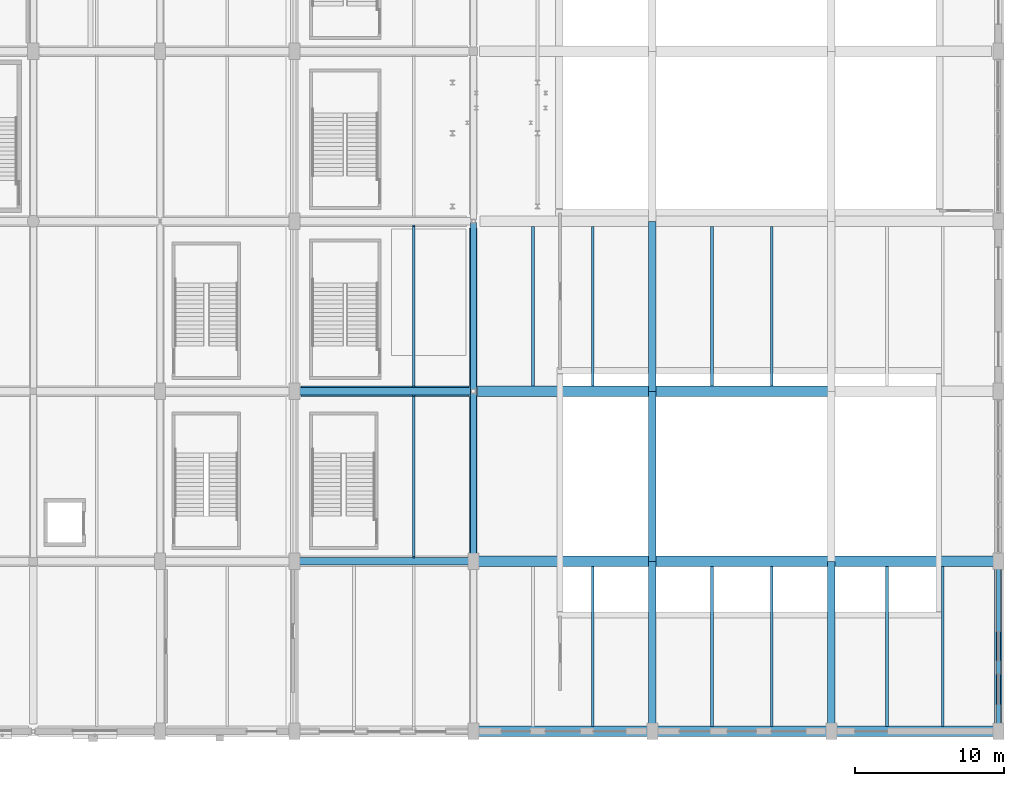
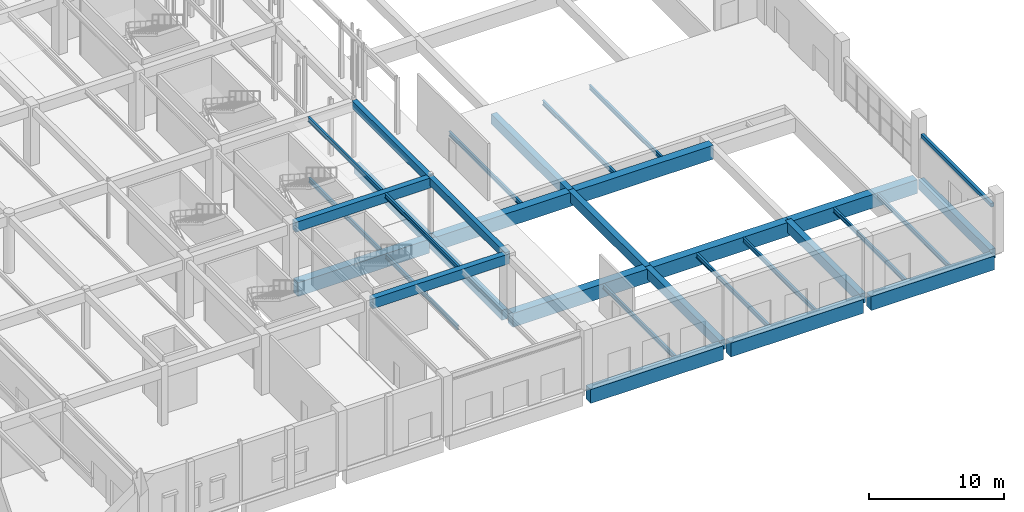
# One storey, part 57 of 113: 34 beams.
"""IFC4 building model written with IfcOpenShell, lengths in metres."""

from ifc_helpers import new_model, si_unit, direction, frame, origin, origin_2d, place, context, subcontext, project, spatial, rectangle, i_section, extrude, material, material_profile, profile_set, type_object, element, save


model = new_model("IFC4")

# Units and contexts
model_context = context("Model", 3, precision=1e-05, world=origin(), true_north=direction((0.0, 1.0)))
body_context = subcontext(model_context, "Body", "Model", "MODEL_VIEW")
ifc_project = project(units=[si_unit("LENGTHUNIT", "METRE"), si_unit("AREAUNIT", "SQUARE_METRE"), si_unit("VOLUMEUNIT", "CUBIC_METRE"), si_unit("PLANEANGLEUNIT", "RADIAN"), si_unit("MASSUNIT", "GRAM", prefix="KILO"), si_unit("POWERUNIT", "WATT"), si_unit("THERMODYNAMICTEMPERATUREUNIT", "KELVIN")], contexts=[model_context])

# Site, building, storey
site_placement = place(None, origin())
site = spatial("IfcSite", under=ifc_project, at=site_placement, CompositionType="ELEMENT")
building_placement = place(site_placement, origin())
building = spatial("IfcBuilding", under=site, at=building_placement, Name="Kelmbourne Parkland Aquatics Centre", CompositionType="ELEMENT")
storey_placement = place(building_placement, origin())
storey = spatial("IfcBuildingStorey", under=building, at=storey_placement, Name="L00", CompositionType="ELEMENT", Elevation=0.0)

# Beams
ifc_material_1 = material(Name="Concrete C40/50", Category="concrete")
ifc_material_profile_1 = material_profile(ifc_material_1, rectangle(XDim=0.5, YDim=0.89990234375, at=origin_2d()), Name="RC 500x900")
ifc_profile_set_1 = profile_set([ifc_material_profile_1], Name="Concrete C40/50")
beam_type_1 = type_object("IfcBeamType", Name="BM-G03", PredefinedType="BEAM", material=ifc_profile_set_1)
beam_1_placement = place(storey_placement, frame((140.0, 12.60498046875, -0.72998046875), z_axis=(0.0, 1.0, 0.0), x_axis=(-1.0, 0.0, 0.0)))
element("IfcBeam", 1, at=beam_1_placement, inside=storey, type_object=beam_type_1, Name="Primary girder 03-04 Grid Q (L00)", PredefinedType="BEAM", context=body_context, shape_type="SweptSolid", body=[
    extrude(rectangle(XDim=0.5, YDim=0.89990234375, at=origin_2d()), origin(), (0.0, 0.0, 1.0), 10.715087890625),
])
beam_2_placement = place(storey_placement, frame((140.0, 23.8798828125, -0.72998046875), z_axis=(0.0, 1.0, 0.0), x_axis=(-1.0, 0.0, 0.0)))
element("IfcBeam", 2, at=beam_2_placement, inside=storey, type_object=beam_type_1, Name="Primary girder 04-05 Grid Q (L00)", PredefinedType="BEAM", context=body_context, shape_type="SweptSolid", body=[
    extrude(rectangle(XDim=0.5, YDim=0.89990234375, at=origin_2d()), origin(), (0.0, 0.0, 1.0), 10.6650390625),
])
beam_3_placement = place(storey_placement, frame((152.0, 1.1298828125, -0.72998046875), z_axis=(0.0, 1.0, 0.0), x_axis=(-1.0, 0.0, 0.0)))
element("IfcBeam", 3, at=beam_3_placement, inside=storey, type_object=beam_type_1, Name="Primary girder 01-03 Grid R (L00)", PredefinedType="BEAM", context=body_context, shape_type="SweptSolid", body=[
    extrude(rectangle(XDim=0.5, YDim=0.89990234375, at=origin_2d()), origin(), (0.0, 0.0, 1.0), 11.070068359375),
])
beam_4_placement = place(storey_placement, frame((152.0, 12.199951171875, -0.72998046875), z_axis=(0.0, 1.0, 0.0), x_axis=(-1.0, 0.0, 0.0)))
element("IfcBeam", 4, at=beam_4_placement, inside=storey, type_object=beam_type_1, Name="Primary girder 03-04 Grid R (L00)", PredefinedType="BEAM", context=body_context, shape_type="SweptSolid", body=[
    extrude(rectangle(XDim=0.5, YDim=0.89990234375, at=origin_2d()), origin(), (0.0, 0.0, 1.0), 11.400146484375),
])
beam_5_placement = place(storey_placement, frame((152.0, 23.60009765625, -0.72998046875), z_axis=(0.0, 1.0, 0.0), x_axis=(-1.0, 0.0, 0.0)))
element("IfcBeam", 5, at=beam_5_placement, inside=storey, type_object=beam_type_1, Name="Primary girder 04-05 Grid R (L00)", PredefinedType="BEAM", context=body_context, shape_type="SweptSolid", body=[
    extrude(rectangle(XDim=0.5, YDim=0.89990234375, at=origin_2d()), origin(), (0.0, 0.0, 1.0), 11.39990234375),
])
beam_6_placement = place(storey_placement, frame((164.0, 1.1298828125, -0.72998046875), z_axis=(0.0, 1.0, 0.0), x_axis=(-1.0, 0.0, 0.0)))
element("IfcBeam", 6, at=beam_6_placement, inside=storey, type_object=beam_type_1, Name="Primary girder 01-03 Grid S (L00)", PredefinedType="BEAM", context=body_context, shape_type="SweptSolid", body=[
    extrude(rectangle(XDim=0.5, YDim=0.89990234375, at=origin_2d()), origin(), (0.0, 0.0, 1.0), 11.070068359375),
])
beam_7_placement = place(storey_placement, frame((175.199951171875, 1.304931640625, -0.72998046875), z_axis=(0.0, 1.0, 0.0), x_axis=(-1.0, 0.0, 0.0)))
element("IfcBeam", 7, at=beam_7_placement, inside=storey, type_object=beam_type_1, Name="Primary girder 01-03 Grid T (L00)", PredefinedType="BEAM", context=body_context, shape_type="SweptSolid", body=[
    extrude(rectangle(XDim=0.5, YDim=0.89990234375, at=origin_2d()), origin(), (0.0, 0.0, 1.0), 10.565185546875),
])
for number, where, z_axis, x_axis, name in (
    (8, (128.330078125, 12.199951171875, 4.7099609375), (1.0, 0.0, 0.0), (0.0, 1.0, 0.0), "Primary girder P-Q Grid 03 (L01)"),
    (9, (128.330078125, 23.60009765625, 4.7099609375), (1.0, 0.0, 0.0), (0.0, 1.0, 0.0), "Primary girder P-Q Grid 04 (L01)"),
):
    element("IfcBeam", number, at=place(storey_placement, frame(where, z_axis=z_axis, x_axis=x_axis)), inside=storey, type_object=beam_type_1, Name=name, PredefinedType="BEAM", context=body_context, shape_type="SweptSolid", body=[
        extrude(rectangle(XDim=0.5, YDim=0.89990234375, at=origin_2d()), origin(), (0.0, 0.0, 1.0), 11.669921875),
    ])
ifc_material_profile_2 = material_profile(ifc_material_1, rectangle(XDim=0.39990234375, YDim=0.699951171875, at=origin_2d()), Name="RC 400x700")
ifc_profile_set_2 = profile_set([ifc_material_profile_2], Name="Concrete C40/50")
beam_type_2 = type_object("IfcBeamType", Name="BM-G05", PredefinedType="BEAM", material=ifc_profile_set_2)
beam_8_placement = place(storey_placement, frame((140.0, 12.199951171875, 4.81005859375), z_axis=(0.0, 1.0, 0.0), x_axis=(-1.0, 0.0, 0.0)))
element("IfcBeam", 10, at=beam_8_placement, inside=storey, type_object=beam_type_2, Name="Primary girder 03-04 Grid Q (L01)", PredefinedType="BEAM", context=body_context, shape_type="SweptSolid", body=[
    extrude(rectangle(XDim=0.39990234375, YDim=0.699951171875, at=origin_2d()), origin(), (0.0, 0.0, 1.0), 11.400146484375),
])
beam_9_placement = place(storey_placement, frame((140.0, 23.60009765625, 4.81005859375), z_axis=(0.0, 1.0, 0.0), x_axis=(-1.0, 0.0, 0.0)))
element("IfcBeam", 11, at=beam_9_placement, inside=storey, type_object=beam_type_2, Name="Primary girder 04-05 Grid Q (L01)", PredefinedType="BEAM", context=body_context, shape_type="SweptSolid", body=[
    extrude(rectangle(XDim=0.39990234375, YDim=0.699951171875, at=origin_2d()), origin(), (0.0, 0.0, 1.0), 11.31982421875),
])
ifc_material_2 = material(Name="Concrete C50/60", Category="concrete")
ifc_material_profile_3 = material_profile(ifc_material_2, rectangle(XDim=0.699951171875, YDim=1.25, at=origin_2d()), Name="RC 700x1250")
ifc_profile_set_3 = profile_set([ifc_material_profile_3], Name="Concrete C50/60")
beam_type_3 = type_object("IfcBeamType", Name="BM-G08", PredefinedType="BEAM", material=ifc_profile_set_3)
for number, where, z_axis, x_axis, name in (
    (12, (140.330078125, 0.800048828125, -0.905029296875), (1.0, 0.0, 0.0), (0.0, 1.0, 0.0), "Primary girder Q-R Grid 01 (L00)"),
    (13, (152.330078125, 0.800048828125, -0.905029296875), (1.0, 0.0, 0.0), (0.0, 1.0, 0.0), "Primary girder R-S Grid 01 (L00)"),
):
    element("IfcBeam", number, at=place(storey_placement, frame(where, z_axis=z_axis, x_axis=x_axis)), inside=storey, type_object=beam_type_3, Name=name, PredefinedType="BEAM", context=body_context, shape_type="SweptSolid", body=[
        extrude(rectangle(XDim=0.699951171875, YDim=1.25, at=origin_2d()), origin(), (0.0, 0.0, 1.0), 11.33984375),
    ])
beam_10_placement = place(storey_placement, frame((164.330078125, 0.800048828125, -0.905029296875), z_axis=(1.0, 0.0, 0.0), x_axis=(0.0, 1.0, 0.0)))
element("IfcBeam", 14, at=beam_10_placement, inside=storey, type_object=beam_type_3, Name="Primary girder S-T Grid 01 (L00)", PredefinedType="BEAM", context=body_context, shape_type="SweptSolid", body=[
    extrude(rectangle(XDim=0.699951171875, YDim=1.25, at=origin_2d()), origin(), (0.0, 0.0, 1.0), 10.5400390625),
])
beam_11_placement = place(storey_placement, frame((140.2548828125, 12.199951171875, -0.905029296875), z_axis=(1.0, 0.0, 0.0), x_axis=(0.0, 1.0, 0.0)))
element("IfcBeam", 15, at=beam_11_placement, inside=storey, type_object=beam_type_3, Name="Primary girder Q-R Grid 03 (L00)", PredefinedType="BEAM", context=body_context, shape_type="SweptSolid", body=[
    extrude(rectangle(XDim=0.699951171875, YDim=1.25, at=origin_2d()), origin(), (0.0, 0.0, 1.0), 11.7451171875),
])
beam_12_placement = place(storey_placement, frame((152.0, 12.199951171875, -0.905029296875), z_axis=(1.0, 0.0, 0.0), x_axis=(0.0, 1.0, 0.0)))
element("IfcBeam", 16, at=beam_12_placement, inside=storey, type_object=beam_type_3, Name="Primary girder R-S Grid 03 (L00)", PredefinedType="BEAM", context=body_context, shape_type="SweptSolid", body=[
    extrude(rectangle(XDim=0.699951171875, YDim=1.25, at=origin_2d()), origin(), (0.0, 0.0, 1.0), 12.0),
])
beam_13_placement = place(storey_placement, frame((164.0, 12.199951171875, -0.905029296875), z_axis=(1.0, 0.0, 0.0), x_axis=(0.0, 1.0, 0.0)))
element("IfcBeam", 17, at=beam_13_placement, inside=storey, type_object=beam_type_3, Name="Primary girder S-T Grid 03 (L00)", PredefinedType="BEAM", context=body_context, shape_type="SweptSolid", body=[
    extrude(rectangle(XDim=0.699951171875, YDim=1.25, at=origin_2d()), origin(), (0.0, 0.0, 1.0), 10.8701171875),
])
beam_14_placement = place(storey_placement, frame((128.455078125, 23.60009765625, -0.905029296875), z_axis=(1.0, 0.0, 0.0), x_axis=(0.0, 1.0, 0.0)))
element("IfcBeam", 18, at=beam_14_placement, inside=storey, type_object=beam_type_3, Name="Primary girder P-Q Grid 04 (L00)", PredefinedType="BEAM", context=body_context, shape_type="SweptSolid", body=[
    extrude(rectangle(XDim=0.699951171875, YDim=1.25, at=origin_2d()), origin(), (0.0, 0.0, 1.0), 11.264892578125),
])
beam_15_placement = place(storey_placement, frame((140.280029296875, 23.60009765625, -0.905029296875), z_axis=(1.0, 0.0, 0.0), x_axis=(0.0, 1.0, 0.0)))
element("IfcBeam", 19, at=beam_15_placement, inside=storey, type_object=beam_type_3, Name="Primary girder Q-R Grid 04 (L00)", PredefinedType="BEAM", context=body_context, shape_type="SweptSolid", body=[
    extrude(rectangle(XDim=0.699951171875, YDim=1.25, at=origin_2d()), origin(), (0.0, 0.0, 1.0), 11.719970703125),
])
beam_16_placement = place(storey_placement, frame((152.0, 23.60009765625, -0.905029296875), z_axis=(1.0, 0.0, 0.0), x_axis=(0.0, 1.0, 0.0)))
element("IfcBeam", 20, at=beam_16_placement, inside=storey, type_object=beam_type_3, Name="Primary girder R-S Grid 04 (L00)", PredefinedType="BEAM", context=body_context, shape_type="SweptSolid", body=[
    extrude(rectangle(XDim=0.699951171875, YDim=1.25, at=origin_2d()), origin(), (0.0, 0.0, 1.0), 12.0),
])
ifc_material_3 = material(Name="Structural steel AS/NZS 3679.1 Grade 300", Category="steel")
ifc_material_profile_4 = material_profile(ifc_material_3, i_section(OverallWidth=0.177978515625, OverallDepth=0.406005859375, WebThickness=0.0078125, FlangeThickness=0.0126953125, at=origin_2d()), Name="410UB59.7")
ifc_profile_set_4 = profile_set([ifc_material_profile_4], Name="Structural steel AS/NZS 3679.1 Grade 300")
beam_type_4 = type_object("IfcBeamType", Name="BM-J01", PredefinedType="JOIST", material=ifc_profile_set_4)
for number, where, z_axis, x_axis, name in (
    (21, (136.0, 12.5419921875, -0.48291015625), (0.0, 1.0, 0.0), (-1.0, 0.0, 0.0), "Secondary floor joist P-Q/03-04 #2 (L00)"),
    (22, (136.0, 23.94189453125, -0.48291015625), (0.0, 1.0, 0.0), (-1.0, 0.0, 0.0), "Secondary floor joist P-Q/04-05 #2 (L00)"),
):
    element("IfcBeam", number, at=place(storey_placement, frame(where, z_axis=z_axis, x_axis=x_axis)), inside=storey, type_object=beam_type_4, Name=name, PredefinedType="JOIST", context=body_context, shape_type="SweptSolid", body=[
        extrude(i_section(OverallWidth=0.177978515625, OverallDepth=0.406005859375, WebThickness=0.0078125, FlangeThickness=0.0126953125, at=origin_2d()), origin(), (0.0, 0.0, 1.0), 10.716064453125),
    ])
beam_17_placement = place(storey_placement, frame((148.0, 1.14208984375, -0.48291015625), z_axis=(0.0, 1.0, 0.0), x_axis=(-1.0, 0.0, 0.0)))
element("IfcBeam", 23, at=beam_17_placement, inside=storey, type_object=beam_type_4, Name="Secondary floor joist Q-R/01-03 #2 (L00)", PredefinedType="JOIST", context=body_context, shape_type="SweptSolid", body=[
    extrude(i_section(OverallWidth=0.177978515625, OverallDepth=0.406005859375, WebThickness=0.0078125, FlangeThickness=0.0126953125, at=origin_2d()), origin(), (0.0, 0.0, 1.0), 10.7158203125),
])
for number, where, z_axis, x_axis, name in (
    (24, (144.0, 23.94189453125, -0.48291015625), (0.0, 1.0, 0.0), (-1.0, 0.0, 0.0), "Secondary floor joist Q-R/04-05 #1 (L00)"),
    (25, (148.0, 23.94189453125, -0.48291015625), (0.0, 1.0, 0.0), (-1.0, 0.0, 0.0), "Secondary floor joist Q-R/04-05 #2 (L00)"),
):
    element("IfcBeam", number, at=place(storey_placement, frame(where, z_axis=z_axis, x_axis=x_axis)), inside=storey, type_object=beam_type_4, Name=name, PredefinedType="JOIST", context=body_context, shape_type="SweptSolid", body=[
        extrude(i_section(OverallWidth=0.177978515625, OverallDepth=0.406005859375, WebThickness=0.0078125, FlangeThickness=0.0126953125, at=origin_2d()), origin(), (0.0, 0.0, 1.0), 10.716064453125),
    ])
for number, where, z_axis, x_axis, name in (
    (26, (156.0, 1.14208984375, -0.48291015625), (0.0, 1.0, 0.0), (-1.0, 0.0, 0.0), "Secondary floor joist R-S/01-03 #1 (L00)"),
    (27, (160.0, 1.14208984375, -0.48291015625), (0.0, 1.0, 0.0), (-1.0, 0.0, 0.0), "Secondary floor joist R-S/01-03 #2 (L00)"),
):
    element("IfcBeam", number, at=place(storey_placement, frame(where, z_axis=z_axis, x_axis=x_axis)), inside=storey, type_object=beam_type_4, Name=name, PredefinedType="JOIST", context=body_context, shape_type="SweptSolid", body=[
        extrude(i_section(OverallWidth=0.177978515625, OverallDepth=0.406005859375, WebThickness=0.0078125, FlangeThickness=0.0126953125, at=origin_2d()), origin(), (0.0, 0.0, 1.0), 10.7158203125),
    ])
for number, where, z_axis, x_axis, name in (
    (28, (156.0, 23.94189453125, -0.48291015625), (0.0, 1.0, 0.0), (-1.0, 0.0, 0.0), "Secondary floor joist R-S/04-05 #1 (L00)"),
    (29, (160.0, 23.94189453125, -0.48291015625), (0.0, 1.0, 0.0), (-1.0, 0.0, 0.0), "Secondary floor joist R-S/04-05 #2 (L00)"),
):
    element("IfcBeam", number, at=place(storey_placement, frame(where, z_axis=z_axis, x_axis=x_axis)), inside=storey, type_object=beam_type_4, Name=name, PredefinedType="JOIST", context=body_context, shape_type="SweptSolid", body=[
        extrude(i_section(OverallWidth=0.177978515625, OverallDepth=0.406005859375, WebThickness=0.0078125, FlangeThickness=0.0126953125, at=origin_2d()), origin(), (0.0, 0.0, 1.0), 10.716064453125),
    ])
for number, where, z_axis, x_axis, name in (
    (30, (167.7333984375, 1.14208984375, -0.48291015625), (0.0, 1.0, 0.0), (-1.0, 0.0, 0.0), "Secondary floor joist S-T/01-03 #1 (L00)"),
    (31, (171.466796875, 1.14208984375, -0.48291015625), (0.0, 1.0, 0.0), (-1.0, 0.0, 0.0), "Secondary floor joist S-T/01-03 #2 (L00)"),
):
    element("IfcBeam", number, at=place(storey_placement, frame(where, z_axis=z_axis, x_axis=x_axis)), inside=storey, type_object=beam_type_4, Name=name, PredefinedType="JOIST", context=body_context, shape_type="SweptSolid", body=[
        extrude(i_section(OverallWidth=0.177978515625, OverallDepth=0.406005859375, WebThickness=0.0078125, FlangeThickness=0.0126953125, at=origin_2d()), origin(), (0.0, 0.0, 1.0), 10.7158203125),
    ])
for number, where, z_axis, x_axis, name in (
    (32, (136.0, 12.44189453125, 4.95703125), (0.0, 1.0, 0.0), (-1.0, 0.0, 0.0), "Secondary floor joist P-Q/03-04 #2 (L01)"),
    (33, (136.0, 23.842041015625, 4.95703125), (0.0, 1.0, 0.0), (-1.0, 0.0, 0.0), "Secondary floor joist P-Q/04-05 #2 (L01)"),
):
    element("IfcBeam", number, at=place(storey_placement, frame(where, z_axis=z_axis, x_axis=x_axis)), inside=storey, type_object=beam_type_4, Name=name, PredefinedType="JOIST", context=body_context, shape_type="SweptSolid", body=[
        extrude(i_section(OverallWidth=0.177978515625, OverallDepth=0.406005859375, WebThickness=0.0078125, FlangeThickness=0.0126953125, at=origin_2d()), origin(), (0.0, 0.0, 1.0), 10.916015625),
    ])
ifc_material_profile_5 = material_profile(ifc_material_3, rectangle(XDim=0.25, YDim=0.35009765625, at=origin_2d()), Name="LNT 250x350")
ifc_profile_set_5 = profile_set([ifc_material_profile_5], Name="Structural steel AS/NZS 3679.1 Grade 300")
beam_type_5 = type_object("IfcBeamType", Name="BM-LN01", PredefinedType="LINTEL", material=ifc_profile_set_5)
beam_18_placement = place(storey_placement, frame((175.199951171875, 1.304931640625, 3.699951171875), z_axis=(0.0, 1.0, 0.0), x_axis=(-1.0, 0.0, 0.0)))
element("IfcBeam", 34, at=beam_18_placement, inside=storey, type_object=beam_type_5, Name="Masonry opening lintel E-04", PredefinedType="LINTEL", context=body_context, shape_type="SweptSolid", body=[
    extrude(rectangle(XDim=0.25, YDim=0.35009765625, at=origin_2d()), origin(), (0.0, 0.0, 1.0), 10.39013671875),
])

save(model, "model.ifc")
